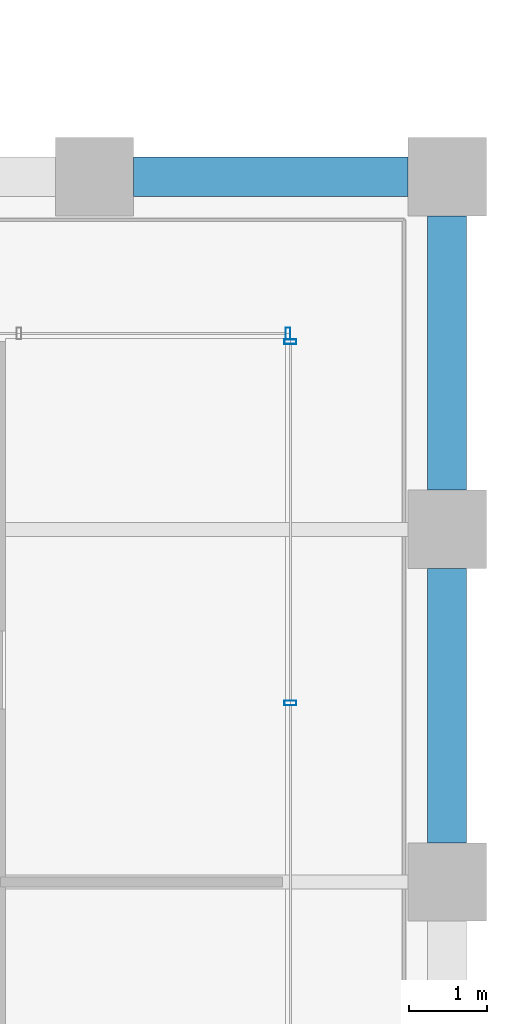
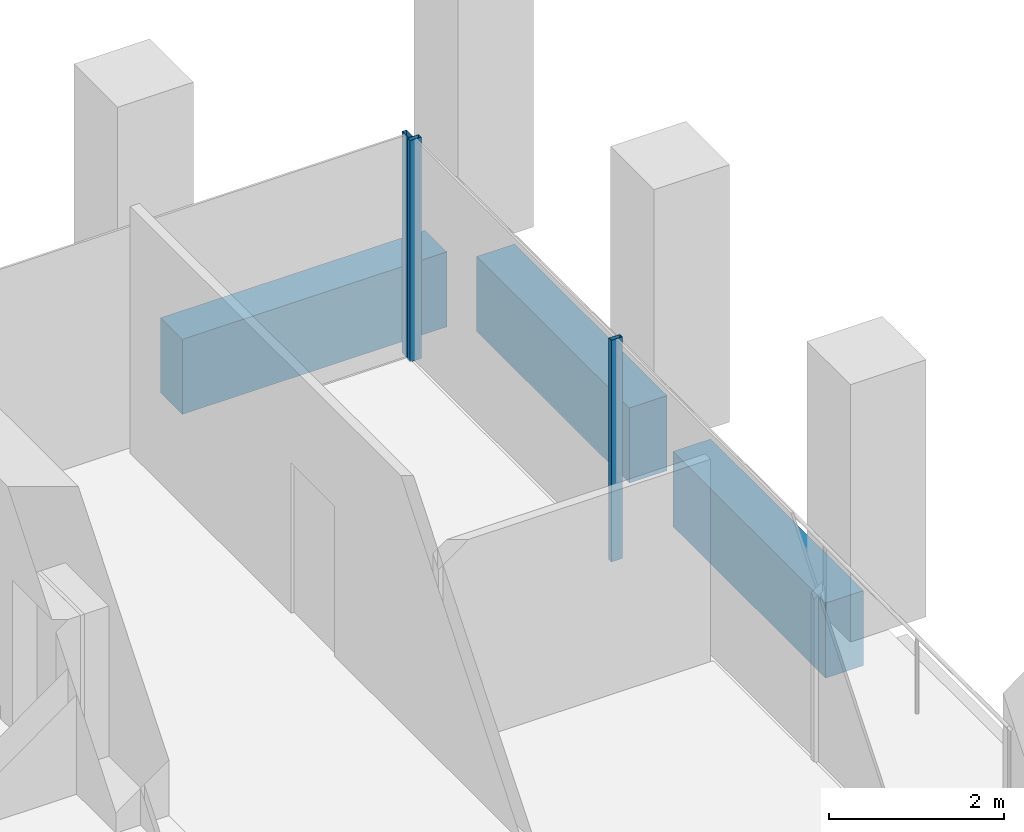
# One storey, part 38 of 46: 3 beams, 3 members, 2 elements without a shape of their own.
"""IFC4 building model written with IfcOpenShell, lengths in metres."""

from ifc_helpers import new_model, si_unit, direction, frame, origin, origin_2d, place, context, subcontext, project, spatial, rectangle, hollow_rectangle, extrude, material, material_profile, profile_set, type_object, element, aggregate, save


model = new_model("IFC4")

# Units and contexts
model_context = context("Model", 3, precision=1e-05, world=origin(), true_north=direction((0.0, 1.0)))
body_context = subcontext(model_context, "Body", "Model", "MODEL_VIEW")
ifc_project = project(units=[si_unit("LENGTHUNIT", "METRE"), si_unit("AREAUNIT", "SQUARE_METRE"), si_unit("VOLUMEUNIT", "CUBIC_METRE"), si_unit("PLANEANGLEUNIT", "RADIAN"), si_unit("MASSUNIT", "GRAM", prefix="KILO")], contexts=[model_context])

# Site, building, storey
site_placement = place(None, origin())
site = spatial("IfcSite", under=ifc_project, at=site_placement, CompositionType="ELEMENT")
building_placement = place(site_placement, origin())
building = spatial("IfcBuilding", under=site, at=building_placement, Name="Altepetl Exchange Towers", CompositionType="ELEMENT")
storey_placement = place(building_placement, frame((0.0, 0.0, 124.39990234375)))
storey = spatial("IfcBuildingStorey", under=building, at=storey_placement, Name="L30", CompositionType="ELEMENT", Elevation=124.39990234375)

# Curtain wall, members
ifc_material_1 = material(Name="Aluminium 6063-T6 glazing", Category="aluminium")
curtain_wall_type = type_object("IfcCurtainWallType", Name="Loggia glazing system", PredefinedType="NOTDEFINED", material=ifc_material_1)
curtain_wall_1_placement = place(storey_placement, origin())
curtain_wall_1 = element("IfcCurtainWall", 1, at=curtain_wall_1_placement, inside=storey, type_object=curtain_wall_type, Name="CW1 run", PredefinedType="NOTDEFINED")
ifc_material_2 = material(Name="Aluminium 6063-T6", Category="aluminium")
ifc_material_profile_1 = material_profile(ifc_material_2, hollow_rectangle(XDim=0.06005859375, YDim=0.14990234375, WallThickness=0.0029296875, at=origin_2d()), Name="Mullion 60x150 aluminium")
ifc_profile_set_1 = profile_set([ifc_material_profile_1], Name="Aluminium 6063-T6")
member_type = type_object("IfcMemberType", Name="Mullion 60x150 aluminium", PredefinedType="MULLION", material=ifc_profile_set_1)
member_1_placement = place(storey_placement, frame((124.0, 42.783447265625, 0.0), z_axis=(0.0, 0.0, 1.0), x_axis=(0.0, 1.0, 0.0)))
member_1 = element("IfcMember", 2, at=member_1_placement, type_object=member_type, Name="MU1 mullion", PredefinedType="MULLION", context=body_context, shape_type="SweptSolid", body=[
    extrude(hollow_rectangle(XDim=0.06005859375, YDim=0.14990234375, WallThickness=0.0029296875, at=origin_2d()), origin(), (0.0, 0.0, 1.0), 3.10009765625),
])
member_2_placement = place(storey_placement, frame((124.0, 47.39501953125, 0.0), z_axis=(0.0, 0.0, 1.0), x_axis=(0.0, 1.0, 0.0)))
member_2 = element("IfcMember", 3, at=member_2_placement, type_object=member_type, Name="MU1 mullion", PredefinedType="MULLION", context=body_context, shape_type="SweptSolid", body=[
    extrude(hollow_rectangle(XDim=0.06005859375, YDim=0.14990234375, WallThickness=0.0029296875, at=origin_2d()), origin(), (0.0, 0.0, 1.0), 3.10009765625),
])
aggregate(curtain_wall_1, [member_1, member_2])

# Curtain wall, member
curtain_wall_2_placement = place(storey_placement, origin())
curtain_wall_2 = element("IfcCurtainWall", 4, at=curtain_wall_2_placement, inside=storey, type_object=curtain_wall_type, Name="CW1 run", PredefinedType="NOTDEFINED")
member_3_placement = place(storey_placement, frame((123.969970703125, 47.5, 0.0), z_axis=(0.0, 0.0, 1.0), x_axis=(-1.0, 0.0, 0.0)))
member_3 = element("IfcMember", 5, at=member_3_placement, type_object=member_type, Name="MU1 mullion", PredefinedType="MULLION", context=body_context, shape_type="SweptSolid", body=[
    extrude(hollow_rectangle(XDim=0.06005859375, YDim=0.14990234375, WallThickness=0.0029296875, at=origin_2d()), origin(), (0.0, 0.0, 1.0), 3.10009765625),
])
aggregate(curtain_wall_2, [member_3])

# Beams
ifc_material_3 = material(Name="Concrete C50/60 precast with cantera amarilla facing", Category="concrete")
ifc_material_profile_2 = material_profile(ifc_material_3, rectangle(XDim=0.5, YDim=1.050048828125, at=origin_2d()), Name="500 x 1050")
ifc_profile_set_2 = profile_set([ifc_material_profile_2], Name="Concrete C50/60 precast with cantera amarilla facing")
beam_type_1 = type_object("IfcBeamType", Name="Spandrel beam 500x1050 cantera amarilla", PredefinedType="SPANDREL", material=ifc_profile_set_2)
beam_placement = place(storey_placement, frame((125.5, 49.5, -0.6748046875), z_axis=(-1.0, 0.0, 0.0), x_axis=(0.0, -1.0, 0.0)))
element("IfcBeam", 6, at=beam_placement, inside=storey, type_object=beam_type_1, Name="sp:B:L30:013", PredefinedType="SPANDREL", context=body_context, shape_type="SweptSolid", body=[
    extrude(rectangle(XDim=0.5, YDim=1.050048828125, at=origin_2d()), origin(), (0.0, 0.0, 1.0), 3.5),
])
ifc_material_4 = material(Name="Concrete C50/60 precast with cantera blanca facing", Category="concrete")
ifc_material_profile_3 = material_profile(ifc_material_4, rectangle(XDim=0.5, YDim=1.050048828125, at=origin_2d()), Name="500 x 1050")
ifc_profile_set_3 = profile_set([ifc_material_profile_3], Name="Concrete C50/60 precast with cantera blanca facing")
beam_type_2 = type_object("IfcBeamType", Name="Spandrel beam 500x1050 cantera blanca", PredefinedType="SPANDREL", material=ifc_profile_set_3)
for number, where, z_axis, x_axis, name in (
    (7, (126.0, 41.0, -0.6748046875), (0.0, 1.0, 0.0), (-1.0, 0.0, 0.0), "sp:B:L30:011"),
    (8, (126.0, 45.5, -0.6748046875), (0.0, 1.0, 0.0), (-1.0, 0.0, 0.0), "sp:B:L30:012"),
):
    element("IfcBeam", number, at=place(storey_placement, frame(where, z_axis=z_axis, x_axis=x_axis)), inside=storey, type_object=beam_type_2, Name=name, PredefinedType="SPANDREL", context=body_context, shape_type="SweptSolid", body=[
        extrude(rectangle(XDim=0.5, YDim=1.050048828125, at=origin_2d()), origin(), (0.0, 0.0, 1.0), 3.5),
    ])

save(model, "model.ifc")
